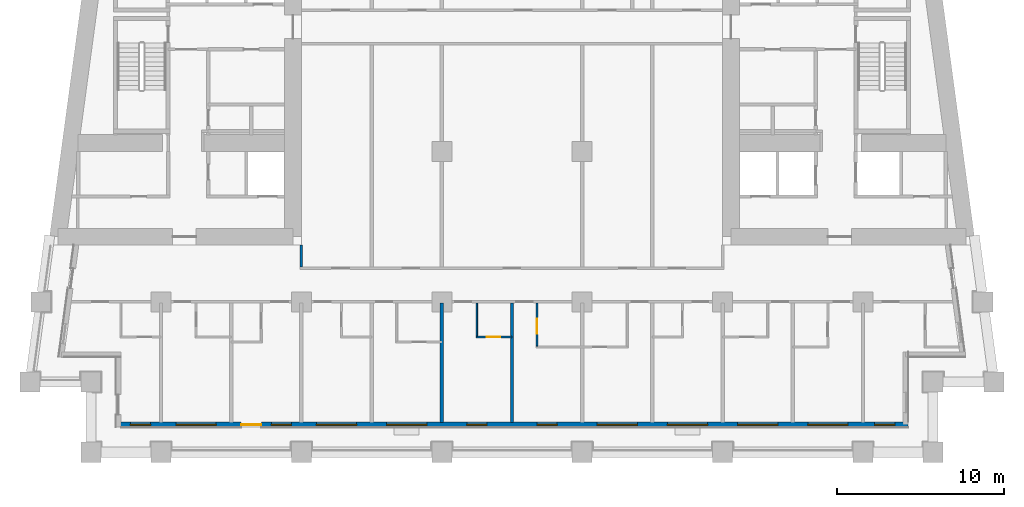
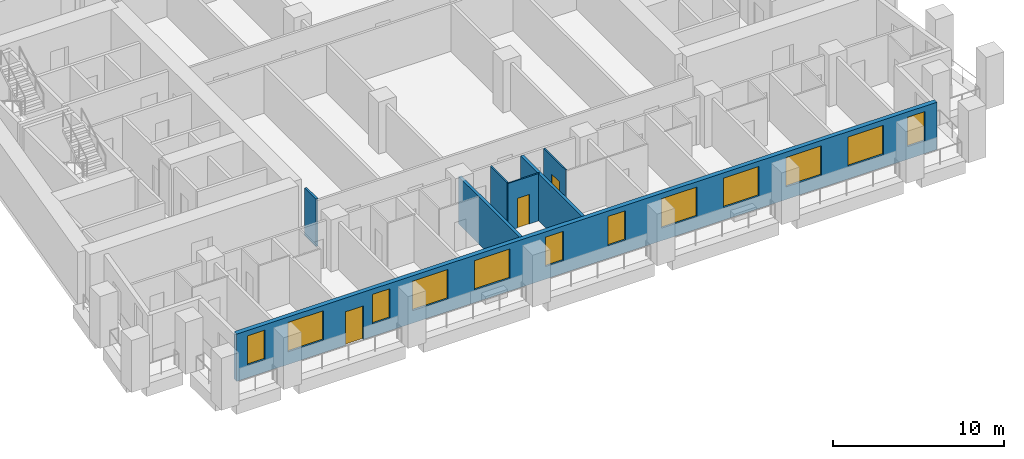
# One storey, part 3 of 14: 12 windows, 7 walls, 3 doors, 15 openings.
"""IFC4 building model written with IfcOpenShell, lengths in metres."""

import ifcopenshell
import ifcopenshell.guid

model = None  # the IFC model being written
_history = None  # IfcOwnerHistory: only IFC2X3 demands one
_inside = {}  # id of a spatial element -> (the spatial element, [elements in it])
_under = {}  # id of a project, library or spatial element -> (it, [spatial elements below it])
_declared = {}  # id of a project -> (the project, [libraries it declares])
_typed = {}  # id of a type object -> (the type object, [elements of that type])
_made_of = {}  # id of a material, layer set ... -> (it, [elements and type objects made of it])


def new_model(schema):
    """Start an empty IFC model of exactly this schema.

    Asked for "IFC4X3", IfcOpenShell would pick the latest addendum, in which some entities
    have other attributes; the version numbers below select the first issue.
    IFC2X3 requires an IfcOwnerHistory on every rooted entity: one is made here for all.
    """
    global model, _history
    if schema == "IFC4X3":
        model = ifcopenshell.file(schema_version=(4, 3, 0, 0))
    else:
        model = ifcopenshell.file(schema=schema)
    _inside.clear()
    _under.clear()
    _declared.clear()
    _typed.clear()
    _made_of.clear()
    _history = None
    if model.schema == "IFC2X3":
        org = make("IfcOrganization", Name="unknown")
        user = make(
            "IfcPersonAndOrganization",
            ThePerson=make("IfcPerson", FamilyName="unknown"),
            TheOrganization=org,
        )
        app = make(
            "IfcApplication",
            ApplicationDeveloper=org,
            Version="unknown",
            ApplicationFullName="unknown",
            ApplicationIdentifier="unknown",
        )
        _history = make(
            "IfcOwnerHistory",
            OwningUser=user,
            OwningApplication=app,
            ChangeAction="ADDED",
            CreationDate=0,
        )
    return model


def make(cls, **values):
    """One entity of the class cls with the attributes given. An attribute that is None is left unset."""
    return model.create_entity(
        cls, **{name: value for name, value in values.items() if value is not None}
    )


def rooted(cls, **values):
    """An entity with a GlobalId (a new one), such as an element, a storey or a relation."""
    return make(cls, GlobalId=ifcopenshell.guid.new(), OwnerHistory=_history, **values)


def si_unit(unit_type, name, prefix=None):
    """IfcSIUnit, for example si_unit("LENGTHUNIT", "METRE", prefix="MILLI")."""
    return make("IfcSIUnit", UnitType=unit_type, Prefix=prefix, Name=name)


def assignment(units):
    """IfcUnitAssignment: the units of a project."""
    return None if units is None else make("IfcUnitAssignment", Units=units)


def point(xyz):
    """IfcCartesianPoint."""
    return None if xyz is None else make("IfcCartesianPoint", Coordinates=xyz)


def direction(xyz):
    """IfcDirection."""
    return None if xyz is None else make("IfcDirection", DirectionRatios=xyz)


def frame(location, z_axis=None, x_axis=None):
    """IfcAxis2Placement3D, a coordinate frame: its origin and axes. An axis left out is left unset."""
    return make(
        "IfcAxis2Placement3D",
        Location=point(location),
        Axis=direction(z_axis),
        RefDirection=direction(x_axis),
    )


def frame_2d(location, x_axis=None):
    """IfcAxis2Placement2D, a coordinate frame in the plane: its origin and x axis."""
    return make(
        "IfcAxis2Placement2D", Location=point(location), RefDirection=direction(x_axis)
    )


def origin():
    """The frame at (0, 0, 0) with its axes left unset."""
    return frame((0.0, 0.0, 0.0))


def place(relative_to, where):
    """IfcLocalPlacement: puts the frame where relative to a parent placement (None: the world)."""
    return make(
        "IfcLocalPlacement", PlacementRelTo=relative_to, RelativePlacement=where
    )


def context(
    kind, dimensions, precision=None, world=None, true_north=None, identifier=None
):
    """IfcGeometricRepresentationContext, for example the 3D "Model" context."""
    return make(
        "IfcGeometricRepresentationContext",
        ContextIdentifier=identifier,
        ContextType=kind,
        CoordinateSpaceDimension=dimensions,
        Precision=precision,
        WorldCoordinateSystem=world,
        TrueNorth=true_north,
    )


def subcontext(parent, identifier, kind, view, scale=None):
    """IfcGeometricRepresentationSubContext, for example "Body" below "Model"."""
    return make(
        "IfcGeometricRepresentationSubContext",
        ContextIdentifier=identifier,
        ContextType=kind,
        ParentContext=parent,
        TargetScale=scale,
        TargetView=view,
    )


def project(units=None, contexts=None):
    """IfcProject with its units and contexts."""
    return rooted(
        "IfcProject",
        Name="project",
        RepresentationContexts=contexts,
        UnitsInContext=assignment(units),
    )


def spatial(cls, under=None, at=None, **own):
    """A site, building, storey or space (cls), placed at a placement, below another one or the project."""
    s = rooted(cls, ObjectPlacement=at, **own)
    if under is not None:
        _under.setdefault(under.id(), (under, []))[1].append(s)
    return s


def profile(cls, at=None, kind="AREA", **sizes):
    """A parametric profile (cls). Its sizes go by their IFC names, for example OverallWidth=200.0."""
    return make(cls, ProfileType=kind, Position=at, **sizes)


def rectangle(**sizes):
    """IfcRectangleProfileDef."""
    return profile("IfcRectangleProfileDef", **sizes)


def extrude(swept, where, along, depth):
    """IfcExtrudedAreaSolid: the profile swept, set in the frame where, extruded along a direction by depth."""
    return make(
        "IfcExtrudedAreaSolid",
        SweptArea=swept,
        Position=where,
        ExtrudedDirection=direction(along),
        Depth=depth,
    )


def shape(context_of_items, identifier, shape_type, items):
    """IfcShapeRepresentation: the items that make up one representation, for example the "Body"."""
    return make(
        "IfcShapeRepresentation",
        ContextOfItems=context_of_items,
        RepresentationIdentifier=identifier,
        RepresentationType=shape_type,
        Items=items,
    )


def material(Name=None, Category=None):
    """IfcMaterial."""
    return make("IfcMaterial", Name=Name, Category=Category)


def layer(
    of_material, thickness, ventilated=None, Name=None, Category=None, Priority=None
):
    """IfcMaterialLayer: one layer of a wall or slab, of a material (None: an air gap)."""
    return make(
        "IfcMaterialLayer",
        Material=of_material,
        LayerThickness=thickness,
        IsVentilated=ventilated,
        Name=Name,
        Category=Category,
        Priority=Priority,
    )


def layer_set(layers, Name=None):
    """IfcMaterialLayerSet."""
    return make("IfcMaterialLayerSet", MaterialLayers=layers, LayerSetName=Name)


def made_of(thing, what):
    """Note that an element or type object is made of a material, layer set ...; save() writes the relation."""
    if what is not None:
        _made_of.setdefault(what.id(), (what, []))[1].append(thing)
    return thing


def type_object(cls, material=None, **own):
    """A type object (cls), such as IfcWallType, which elements share."""
    return made_of(rooted(cls, **own), material)


def element(
    cls,
    number,
    at=None,
    inside=None,
    cuts=None,
    type_object=None,
    material=None,
    context=None,
    identifier="Body",
    shape_type=None,
    held_by="IfcProductDefinitionShape",
    body=None,
    shapes=None,
    **own,
):
    """One element of the class cls, such as IfcWall. Its Tag is "e" and its number.

    at: its placement. inside: the storey or other place that contains it. cuts: it is an
    opening in that element (IfcRelVoidsElement). A single representation is given by context,
    identifier, shape_type and body (its items); several are given by shapes. held_by: the class
    of the entity that holds the representations. save() writes the other relations.
    """
    e = rooted(cls, Tag="e%d" % number, ObjectPlacement=at, **own)
    if body is not None:
        shapes = [shape(context, identifier, shape_type, body)]
    if shapes is not None:
        e.Representation = make(held_by, Representations=shapes)
    if inside is not None:
        _inside.setdefault(inside.id(), (inside, []))[1].append(e)
    if cuts is not None:
        rooted(
            "IfcRelVoidsElement", RelatingBuildingElement=cuts, RelatedOpeningElement=e
        )
    if type_object is not None:
        _typed.setdefault(type_object.id(), (type_object, []))[1].append(e)
    return made_of(e, material)


def fill(opening, filler):
    """IfcRelFillsElement: the door or window that sits in an opening."""
    return rooted(
        "IfcRelFillsElement",
        RelatingOpeningElement=opening,
        RelatedBuildingElement=filler,
    )


def aggregate(whole, parts):
    """IfcRelAggregates: a whole, such as a stair, and the parts it consists of."""
    return rooted("IfcRelAggregates", RelatingObject=whole, RelatedObjects=parts)


def save(model, path):
    """Write the relations noted so far, then the file.

    IfcRelAggregates (storeys below a building ...), IfcRelContainedInSpatialStructure (elements
    in a storey), IfcRelDefinesByType, IfcRelAssociatesMaterial and IfcRelDeclares: one each for
    every whole, place, type object, material and project.
    """
    for whole, parts in _under.values():
        aggregate(whole, parts)
    for where, things in _inside.values():
        rooted(
            "IfcRelContainedInSpatialStructure",
            RelatedElements=things,
            RelatingStructure=where,
        )
    for kind, things in _typed.values():
        rooted("IfcRelDefinesByType", RelatedObjects=things, RelatingType=kind)
    for what, things in _made_of.values():
        rooted("IfcRelAssociatesMaterial", RelatedObjects=things, RelatingMaterial=what)
    for by, libraries in _declared.values():
        rooted("IfcRelDeclares", RelatingContext=by, RelatedDefinitions=libraries)
    model.write(path)


model = new_model("IFC4")

# Units and contexts
model_context = context("Model", 3, precision=1e-05, world=origin(), true_north=direction((0.0, 1.0)))
body_context = subcontext(model_context, "Body", "Model", "MODEL_VIEW")
ifc_project = project(units=[si_unit("LENGTHUNIT", "METRE"), si_unit("AREAUNIT", "SQUARE_METRE"), si_unit("VOLUMEUNIT", "CUBIC_METRE"), si_unit("PLANEANGLEUNIT", "RADIAN"), si_unit("MASSUNIT", "GRAM", prefix="KILO")], contexts=[model_context])

# Site, building, storey
site_placement = place(None, origin())
site = spatial("IfcSite", under=ifc_project, at=site_placement, CompositionType="ELEMENT")
building_placement = place(site_placement, origin())
building = spatial("IfcBuilding", under=site, at=building_placement, Name="Candeia Pilgrim Tower and Theatre", CompositionType="ELEMENT")
storey_placement = place(building_placement, frame((0.0, 0.0, 116.89990234375)))
storey = spatial("IfcBuildingStorey", under=building, at=storey_placement, Name="L27", CompositionType="ELEMENT", Elevation=116.89990234375)

# Wall, openings, door, windows
ifc_material_1 = material(Name="Ceramic block masonry", Category="masonry")
ifc_layer_1 = layer(ifc_material_1, 0.300048828125)
ifc_layer_set_1 = layer_set([ifc_layer_1], Name="EW1 glazing-line wall 300")
wall_type_1 = type_object("IfcWallType", Name="EW1 glazing-line wall 300", PredefinedType="SOLIDWALL", material=ifc_layer_set_1)
wall_1_placement = place(storey_placement, frame((89.85009765625, 99.64990234375, 0.0), z_axis=(0.0, 0.0, 1.0), x_axis=(1.0, 0.0, 0.0)))
wall_1 = element("IfcWall", 1, at=wall_1_placement, inside=storey, type_object=wall_type_1, Name="External wall L27-0.0", PredefinedType="SOLIDWALL", context=body_context, shape_type="SweptSolid", body=[
    extrude(rectangle(XDim=47.25, YDim=0.300048828125, at=frame_2d((23.625, 0.0))), origin(), (0.0, 0.0, 1.0), 3.380126953125),
])
opening_1_placement = place(wall_1_placement, frame((0.72509765625, 0.0, 0.89990234375)))
opening_1 = element("IfcOpeningElement", 2, at=opening_1_placement, cuts=wall_1, Name="Opening W-B", PredefinedType="OPENING", context=body_context, shape_type="SweptSolid", body=[
    extrude(rectangle(XDim=1.199951171875, YDim=2.10009765625, at=frame_2d((0.60009765625, 1.050048828125))), frame((0.0, 0.16015625, 0.0), z_axis=(0.0, -1.0, 0.0), x_axis=(1.0, 0.0, 0.0)), (0.0, 0.0, 1.0), 0.320068359375),
])
opening_2_placement = place(wall_1_placement, frame((3.449951171875, 0.0, 0.89990234375)))
opening_2 = element("IfcOpeningElement", 3, at=opening_2_placement, cuts=wall_1, Name="Opening W-A", PredefinedType="OPENING", context=body_context, shape_type="SweptSolid", body=[
    extrude(rectangle(XDim=2.39990234375, YDim=2.10009765625, at=frame_2d((1.199951171875, 1.050048828125))), frame((0.0, 0.16015625, 0.0), z_axis=(0.0, -1.0, 0.0), x_axis=(1.0, 0.0, 0.0)), (0.0, 0.0, 1.0), 0.320068359375),
])
opening_3_placement = place(wall_1_placement, frame((7.35009765625, 0.0, 0.0)))
opening_3 = element("IfcOpeningElement", 4, at=opening_3_placement, cuts=wall_1, Name="Opening L27-ED272", PredefinedType="OPENING", context=body_context, shape_type="SweptSolid", body=[
    extrude(rectangle(XDim=1.199951171875, YDim=2.39990234375, at=frame_2d((0.60009765625, 1.199951171875))), frame((0.0, 0.16015625, 0.0), z_axis=(0.0, -1.0, 0.0), x_axis=(1.0, 0.0, 0.0)), (0.0, 0.0, 1.0), 0.320068359375),
])
opening_4_placement = place(wall_1_placement, frame((9.14990234375, 0.0, 0.89990234375)))
opening_4 = element("IfcOpeningElement", 5, at=opening_4_placement, cuts=wall_1, Name="Opening W-B", PredefinedType="OPENING", context=body_context, shape_type="SweptSolid", body=[
    extrude(rectangle(XDim=1.199951171875, YDim=2.10009765625, at=frame_2d((0.60009765625, 1.050048828125))), frame((0.0, 0.16015625, 0.0), z_axis=(0.0, -1.0, 0.0), x_axis=(1.0, 0.0, 0.0)), (0.0, 0.0, 1.0), 0.320068359375),
])
opening_5_placement = place(wall_1_placement, frame((11.85009765625, 0.0, 0.89990234375)))
opening_5 = element("IfcOpeningElement", 6, at=opening_5_placement, cuts=wall_1, Name="Opening W-A", PredefinedType="OPENING", context=body_context, shape_type="SweptSolid", body=[
    extrude(rectangle(XDim=2.39990234375, YDim=2.10009765625, at=frame_2d((1.199951171875, 1.050048828125))), frame((0.0, 0.16015625, 0.0), z_axis=(0.0, -1.0, 0.0), x_axis=(1.0, 0.0, 0.0)), (0.0, 0.0, 1.0), 0.320068359375),
])
opening_6_placement = place(wall_1_placement, frame((16.050048828125, 0.0, 0.89990234375)))
opening_6 = element("IfcOpeningElement", 7, at=opening_6_placement, cuts=wall_1, Name="Opening W-A", PredefinedType="OPENING", context=body_context, shape_type="SweptSolid", body=[
    extrude(rectangle(XDim=2.39990234375, YDim=2.10009765625, at=frame_2d((1.199951171875, 1.050048828125))), frame((0.0, 0.16015625, 0.0), z_axis=(0.0, -1.0, 0.0), x_axis=(1.0, 0.0, 0.0)), (0.0, 0.0, 1.0), 0.320068359375),
])
opening_7_placement = place(wall_1_placement, frame((20.85009765625, 0.0, 0.89990234375)))
opening_7 = element("IfcOpeningElement", 8, at=opening_7_placement, cuts=wall_1, Name="Opening W-B", PredefinedType="OPENING", context=body_context, shape_type="SweptSolid", body=[
    extrude(rectangle(XDim=1.199951171875, YDim=2.10009765625, at=frame_2d((0.60009765625, 1.050048828125))), frame((0.0, 0.16015625, 0.0), z_axis=(0.0, -1.0, 0.0), x_axis=(1.0, 0.0, 0.0)), (0.0, 0.0, 1.0), 0.320068359375),
])
opening_8_placement = place(wall_1_placement, frame((25.050048828125, 0.0, 0.89990234375)))
opening_8 = element("IfcOpeningElement", 9, at=opening_8_placement, cuts=wall_1, Name="Opening W-B", PredefinedType="OPENING", context=body_context, shape_type="SweptSolid", body=[
    extrude(rectangle(XDim=1.199951171875, YDim=2.10009765625, at=frame_2d((0.60009765625, 1.050048828125))), frame((0.0, 0.16015625, 0.0), z_axis=(0.0, -1.0, 0.0), x_axis=(1.0, 0.0, 0.0)), (0.0, 0.0, 1.0), 0.320068359375),
])
opening_9_placement = place(wall_1_placement, frame((28.64990234375, 0.0, 0.89990234375)))
opening_9 = element("IfcOpeningElement", 10, at=opening_9_placement, cuts=wall_1, Name="Opening W-A", PredefinedType="OPENING", context=body_context, shape_type="SweptSolid", body=[
    extrude(rectangle(XDim=2.39990234375, YDim=2.10009765625, at=frame_2d((1.199951171875, 1.050048828125))), frame((0.0, 0.16015625, 0.0), z_axis=(0.0, -1.0, 0.0), x_axis=(1.0, 0.0, 0.0)), (0.0, 0.0, 1.0), 0.320068359375),
])
opening_10_placement = place(wall_1_placement, frame((32.85009765625, 0.0, 0.89990234375)))
opening_10 = element("IfcOpeningElement", 11, at=opening_10_placement, cuts=wall_1, Name="Opening W-A", PredefinedType="OPENING", context=body_context, shape_type="SweptSolid", body=[
    extrude(rectangle(XDim=2.39990234375, YDim=2.10009765625, at=frame_2d((1.199951171875, 1.050048828125))), frame((0.0, 0.16015625, 0.0), z_axis=(0.0, -1.0, 0.0), x_axis=(1.0, 0.0, 0.0)), (0.0, 0.0, 1.0), 0.320068359375),
])
opening_11_placement = place(wall_1_placement, frame((37.050048828125, 0.0, 0.89990234375)))
opening_11 = element("IfcOpeningElement", 12, at=opening_11_placement, cuts=wall_1, Name="Opening W-A", PredefinedType="OPENING", context=body_context, shape_type="SweptSolid", body=[
    extrude(rectangle(XDim=2.39990234375, YDim=2.10009765625, at=frame_2d((1.199951171875, 1.050048828125))), frame((0.0, 0.16015625, 0.0), z_axis=(0.0, -1.0, 0.0), x_axis=(1.0, 0.0, 0.0)), (0.0, 0.0, 1.0), 0.320068359375),
])
opening_12_placement = place(wall_1_placement, frame((41.25, 0.0, 0.89990234375)))
opening_12 = element("IfcOpeningElement", 13, at=opening_12_placement, cuts=wall_1, Name="Opening W-A", PredefinedType="OPENING", context=body_context, shape_type="SweptSolid", body=[
    extrude(rectangle(XDim=2.39990234375, YDim=2.10009765625, at=frame_2d((1.199951171875, 1.050048828125))), frame((0.0, 0.16015625, 0.0), z_axis=(0.0, -1.0, 0.0), x_axis=(1.0, 0.0, 0.0)), (0.0, 0.0, 1.0), 0.320068359375),
])
opening_13_placement = place(wall_1_placement, frame((45.25, 0.0, 0.89990234375)))
opening_13 = element("IfcOpeningElement", 14, at=opening_13_placement, cuts=wall_1, Name="Opening W-B", PredefinedType="OPENING", context=body_context, shape_type="SweptSolid", body=[
    extrude(rectangle(XDim=1.199951171875, YDim=2.10009765625, at=frame_2d((0.60009765625, 1.050048828125))), frame((0.0, 0.16015625, 0.0), z_axis=(0.0, -1.0, 0.0), x_axis=(1.0, 0.0, 0.0)), (0.0, 0.0, 1.0), 0.320068359375),
])
ifc_material_2 = material(Name="Aluminium framed glazed door", Category="aluminium")
door_type_1 = type_object("IfcDoorType", Name="Loggia door 1200x2400", OperationType="DOUBLE_DOOR_SINGLE_SWING", PredefinedType="DOOR", material=ifc_material_2)
door_1_placement = place(opening_3_placement, origin())
door_1 = element("IfcDoor", 15, at=door_1_placement, inside=storey, type_object=door_type_1, Name="Loggia door L27-ED272", OperationType="DOUBLE_DOOR_SINGLE_SWING", OverallHeight=2.39990234375, OverallWidth=1.199951171875, PredefinedType="DOOR", context=body_context, shape_type="SweptSolid", body=[
    extrude(rectangle(XDim=1.199951171875, YDim=2.39990234375, at=frame_2d((0.60009765625, 1.199951171875))), frame((0.0, 0.02490234375, 0.0), z_axis=(0.0, -1.0, 0.0), x_axis=(1.0, 0.0, 0.0)), (0.0, 0.0, 1.0), 0.050048828125),
])
fill(opening_3, door_1)
ifc_material_3 = material(Name="Aluminium framed double glazing", Category="aluminium")
window_type_1 = type_object("IfcWindowType", Name="W-A window 2400x2100", PartitioningType="DOUBLE_PANEL_VERTICAL", PredefinedType="WINDOW", material=ifc_material_3)
window_1_placement = place(opening_2_placement, origin())
window_1 = element("IfcWindow", 16, at=window_1_placement, inside=storey, type_object=window_type_1, Name="Window W-A L27", OverallHeight=2.10009765625, OverallWidth=2.39990234375, PartitioningType="SINGLE_PANEL", PredefinedType="WINDOW", context=body_context, shape_type="SweptSolid", body=[
    extrude(rectangle(XDim=2.39990234375, YDim=2.10009765625, at=frame_2d((1.199951171875, 1.050048828125))), frame((0.0, 0.030029296875, 0.0), z_axis=(0.0, -1.0, 0.0), x_axis=(1.0, 0.0, 0.0)), (0.0, 0.0, 1.0), 0.06005859375),
])
fill(opening_2, window_1)
window_2_placement = place(opening_5_placement, origin())
window_2 = element("IfcWindow", 17, at=window_2_placement, inside=storey, type_object=window_type_1, Name="Window W-A L27", OverallHeight=2.10009765625, OverallWidth=2.39990234375, PartitioningType="SINGLE_PANEL", PredefinedType="WINDOW", context=body_context, shape_type="SweptSolid", body=[
    extrude(rectangle(XDim=2.39990234375, YDim=2.10009765625, at=frame_2d((1.199951171875, 1.050048828125))), frame((0.0, 0.030029296875, 0.0), z_axis=(0.0, -1.0, 0.0), x_axis=(1.0, 0.0, 0.0)), (0.0, 0.0, 1.0), 0.06005859375),
])
fill(opening_5, window_2)
window_3_placement = place(opening_6_placement, origin())
window_3 = element("IfcWindow", 18, at=window_3_placement, inside=storey, type_object=window_type_1, Name="Window W-A L27", OverallHeight=2.10009765625, OverallWidth=2.39990234375, PartitioningType="SINGLE_PANEL", PredefinedType="WINDOW", context=body_context, shape_type="SweptSolid", body=[
    extrude(rectangle(XDim=2.39990234375, YDim=2.10009765625, at=frame_2d((1.199951171875, 1.050048828125))), frame((0.0, 0.030029296875, 0.0), z_axis=(0.0, -1.0, 0.0), x_axis=(1.0, 0.0, 0.0)), (0.0, 0.0, 1.0), 0.06005859375),
])
fill(opening_6, window_3)
window_4_placement = place(opening_9_placement, origin())
window_4 = element("IfcWindow", 19, at=window_4_placement, inside=storey, type_object=window_type_1, Name="Window W-A L27", OverallHeight=2.10009765625, OverallWidth=2.39990234375, PartitioningType="SINGLE_PANEL", PredefinedType="WINDOW", context=body_context, shape_type="SweptSolid", body=[
    extrude(rectangle(XDim=2.39990234375, YDim=2.10009765625, at=frame_2d((1.199951171875, 1.050048828125))), frame((0.0, 0.030029296875, 0.0), z_axis=(0.0, -1.0, 0.0), x_axis=(1.0, 0.0, 0.0)), (0.0, 0.0, 1.0), 0.06005859375),
])
fill(opening_9, window_4)
window_5_placement = place(opening_10_placement, origin())
window_5 = element("IfcWindow", 20, at=window_5_placement, inside=storey, type_object=window_type_1, Name="Window W-A L27", OverallHeight=2.10009765625, OverallWidth=2.39990234375, PartitioningType="SINGLE_PANEL", PredefinedType="WINDOW", context=body_context, shape_type="SweptSolid", body=[
    extrude(rectangle(XDim=2.39990234375, YDim=2.10009765625, at=frame_2d((1.199951171875, 1.050048828125))), frame((0.0, 0.030029296875, 0.0), z_axis=(0.0, -1.0, 0.0), x_axis=(1.0, 0.0, 0.0)), (0.0, 0.0, 1.0), 0.06005859375),
])
fill(opening_10, window_5)
window_6_placement = place(opening_11_placement, origin())
window_6 = element("IfcWindow", 21, at=window_6_placement, inside=storey, type_object=window_type_1, Name="Window W-A L27", OverallHeight=2.10009765625, OverallWidth=2.39990234375, PartitioningType="SINGLE_PANEL", PredefinedType="WINDOW", context=body_context, shape_type="SweptSolid", body=[
    extrude(rectangle(XDim=2.39990234375, YDim=2.10009765625, at=frame_2d((1.199951171875, 1.050048828125))), frame((0.0, 0.030029296875, 0.0), z_axis=(0.0, -1.0, 0.0), x_axis=(1.0, 0.0, 0.0)), (0.0, 0.0, 1.0), 0.06005859375),
])
fill(opening_11, window_6)
window_7_placement = place(opening_12_placement, origin())
window_7 = element("IfcWindow", 22, at=window_7_placement, inside=storey, type_object=window_type_1, Name="Window W-A L27", OverallHeight=2.10009765625, OverallWidth=2.39990234375, PartitioningType="SINGLE_PANEL", PredefinedType="WINDOW", context=body_context, shape_type="SweptSolid", body=[
    extrude(rectangle(XDim=2.39990234375, YDim=2.10009765625, at=frame_2d((1.199951171875, 1.050048828125))), frame((0.0, 0.030029296875, 0.0), z_axis=(0.0, -1.0, 0.0), x_axis=(1.0, 0.0, 0.0)), (0.0, 0.0, 1.0), 0.06005859375),
])
fill(opening_12, window_7)
window_type_2 = type_object("IfcWindowType", Name="W-B window 1200x2100", PartitioningType="SINGLE_PANEL", PredefinedType="WINDOW", material=ifc_material_3)
window_8_placement = place(opening_1_placement, origin())
window_8 = element("IfcWindow", 23, at=window_8_placement, inside=storey, type_object=window_type_2, Name="Window W-B L27", OverallHeight=2.10009765625, OverallWidth=1.199951171875, PartitioningType="SINGLE_PANEL", PredefinedType="WINDOW", context=body_context, shape_type="SweptSolid", body=[
    extrude(rectangle(XDim=1.199951171875, YDim=2.10009765625, at=frame_2d((0.60009765625, 1.050048828125))), frame((0.0, 0.030029296875, 0.0), z_axis=(0.0, -1.0, 0.0), x_axis=(1.0, 0.0, 0.0)), (0.0, 0.0, 1.0), 0.06005859375),
])
fill(opening_1, window_8)
window_9_placement = place(opening_4_placement, origin())
window_9 = element("IfcWindow", 24, at=window_9_placement, inside=storey, type_object=window_type_2, Name="Window W-B L27", OverallHeight=2.10009765625, OverallWidth=1.199951171875, PartitioningType="SINGLE_PANEL", PredefinedType="WINDOW", context=body_context, shape_type="SweptSolid", body=[
    extrude(rectangle(XDim=1.199951171875, YDim=2.10009765625, at=frame_2d((0.60009765625, 1.050048828125))), frame((0.0, 0.030029296875, 0.0), z_axis=(0.0, -1.0, 0.0), x_axis=(1.0, 0.0, 0.0)), (0.0, 0.0, 1.0), 0.06005859375),
])
fill(opening_4, window_9)
window_10_placement = place(opening_7_placement, origin())
window_10 = element("IfcWindow", 25, at=window_10_placement, inside=storey, type_object=window_type_2, Name="Window W-B L27", OverallHeight=2.10009765625, OverallWidth=1.199951171875, PartitioningType="SINGLE_PANEL", PredefinedType="WINDOW", context=body_context, shape_type="SweptSolid", body=[
    extrude(rectangle(XDim=1.199951171875, YDim=2.10009765625, at=frame_2d((0.60009765625, 1.050048828125))), frame((0.0, 0.030029296875, 0.0), z_axis=(0.0, -1.0, 0.0), x_axis=(1.0, 0.0, 0.0)), (0.0, 0.0, 1.0), 0.06005859375),
])
fill(opening_7, window_10)
window_11_placement = place(opening_8_placement, origin())
window_11 = element("IfcWindow", 26, at=window_11_placement, inside=storey, type_object=window_type_2, Name="Window W-B L27", OverallHeight=2.10009765625, OverallWidth=1.199951171875, PartitioningType="SINGLE_PANEL", PredefinedType="WINDOW", context=body_context, shape_type="SweptSolid", body=[
    extrude(rectangle(XDim=1.199951171875, YDim=2.10009765625, at=frame_2d((0.60009765625, 1.050048828125))), frame((0.0, 0.030029296875, 0.0), z_axis=(0.0, -1.0, 0.0), x_axis=(1.0, 0.0, 0.0)), (0.0, 0.0, 1.0), 0.06005859375),
])
fill(opening_8, window_11)
window_12_placement = place(opening_13_placement, origin())
window_12 = element("IfcWindow", 27, at=window_12_placement, inside=storey, type_object=window_type_2, Name="Window W-B L27", OverallHeight=2.10009765625, OverallWidth=1.199951171875, PartitioningType="SINGLE_PANEL", PredefinedType="WINDOW", context=body_context, shape_type="SweptSolid", body=[
    extrude(rectangle(XDim=1.199951171875, YDim=2.10009765625, at=frame_2d((0.60009765625, 1.050048828125))), frame((0.0, 0.030029296875, 0.0), z_axis=(0.0, -1.0, 0.0), x_axis=(1.0, 0.0, 0.0)), (0.0, 0.0, 1.0), 0.06005859375),
])
fill(opening_13, window_12)

# Wall, opening, door
ifc_material_4 = material(Name="Gypsum board partition on steel studs", Category="steel")
ifc_layer_2 = layer(ifc_material_4, 0.10009765625)
ifc_layer_set_2 = layer_set([ifc_layer_2], Name="PW-100 room partition")
wall_type_2 = type_object("IfcWallType", Name="PW-100 room partition", PredefinedType="PARTITIONING", material=ifc_layer_set_2)
wall_2_placement = place(storey_placement, frame((111.25, 104.89990234375, 0.0), z_axis=(0.0, 0.0, 1.0), x_axis=(1.0, 0.0, 0.0)))
wall_2 = element("IfcWall", 28, at=wall_2_placement, inside=storey, type_object=wall_type_2, Name="Room partition L27-009", PredefinedType="PARTITIONING", context=body_context, shape_type="SweptSolid", body=[
    extrude(rectangle(XDim=2.14990234375, YDim=0.10009765625, at=frame_2d((1.074951171875, 0.0))), origin(), (0.0, 0.0, 1.0), 3.380126953125),
])
opening_14_placement = place(wall_2_placement, frame((0.639892578125, 0.0, 0.0)))
opening_14 = element("IfcOpeningElement", 29, at=opening_14_placement, cuts=wall_2, Name="Opening L27-D025", PredefinedType="OPENING", context=body_context, shape_type="SweptSolid", body=[
    extrude(rectangle(XDim=0.800048828125, YDim=2.10009765625, at=frame_2d((0.39990234375, 1.050048828125))), frame((0.0, 0.06005859375, 0.0), z_axis=(0.0, -1.0, 0.0), x_axis=(1.0, 0.0, 0.0)), (0.0, 0.0, 1.0), 0.1201171875),
])
ifc_material_5 = material(Name="Timber door leaf", Category="wood")
door_type_2 = type_object("IfcDoorType", Name="D-800", OperationType="NOTDEFINED", PredefinedType="DOOR", material=ifc_material_5)
door_2_placement = place(opening_14_placement, origin())
door_2 = element("IfcDoor", 30, at=door_2_placement, inside=storey, type_object=door_type_2, Name="Door L27-D025", OperationType="SINGLE_SWING_RIGHT", OverallHeight=2.10009765625, OverallWidth=0.800048828125, PredefinedType="DOOR", context=body_context, shape_type="SweptSolid", body=[
    extrude(rectangle(XDim=0.800048828125, YDim=2.10009765625, at=frame_2d((0.39990234375, 1.050048828125))), frame((0.0, 0.02490234375, 0.0), z_axis=(0.0, -1.0, 0.0), x_axis=(1.0, 0.0, 0.0)), (0.0, 0.0, 1.0), 0.050048828125),
])
fill(opening_14, door_2)

# Wall
wall_3_placement = place(storey_placement, frame((111.300048828125, 104.949951171875, 0.0), z_axis=(0.0, 0.0, 1.0), x_axis=(0.0, 1.0, 0.0)))
element("IfcWall", 31, at=wall_3_placement, inside=storey, type_object=wall_type_2, Name="Room partition L27-093", PredefinedType="PARTITIONING", context=body_context, shape_type="SweptSolid", body=[
    extrude(rectangle(XDim=1.97509765625, YDim=0.10009765625, at=frame_2d((0.987548828125, 0.0))), origin(), (0.0, 0.0, 1.0), 3.380126953125),
])

# Wall, opening, door
wall_4_placement = place(storey_placement, frame((114.89990234375, 104.35009765625, 0.0), z_axis=(0.0, 0.0, 1.0), x_axis=(0.0, 1.0, 0.0)))
wall_4 = element("IfcWall", 32, at=wall_4_placement, inside=storey, type_object=wall_type_2, Name="Room partition L27-096", PredefinedType="PARTITIONING", context=body_context, shape_type="SweptSolid", body=[
    extrude(rectangle(XDim=2.574951171875, YDim=0.10009765625, at=frame_2d((1.28759765625, 0.0))), origin(), (0.0, 0.0, 1.0), 3.380126953125),
])
opening_15_placement = place(wall_4_placement, frame((0.739990234375, 0.0, 0.0)))
opening_15 = element("IfcOpeningElement", 33, at=opening_15_placement, cuts=wall_4, Name="Opening L27-D027", PredefinedType="OPENING", context=body_context, shape_type="SweptSolid", body=[
    extrude(rectangle(XDim=0.89990234375, YDim=2.10009765625, at=frame_2d((0.449951171875, 1.050048828125))), frame((0.0, 0.06005859375, 0.0), z_axis=(0.0, -1.0, 0.0), x_axis=(1.0, 0.0, 0.0)), (0.0, 0.0, 1.0), 0.1201171875),
])
door_type_3 = type_object("IfcDoorType", Name="D-900", OperationType="NOTDEFINED", PredefinedType="DOOR", material=ifc_material_5)
door_3_placement = place(opening_15_placement, origin())
door_3 = element("IfcDoor", 34, at=door_3_placement, inside=storey, type_object=door_type_3, Name="Door L27-D027", OperationType="SINGLE_SWING_RIGHT", OverallHeight=2.10009765625, OverallWidth=0.89990234375, PredefinedType="DOOR", context=body_context, shape_type="SweptSolid", body=[
    extrude(rectangle(XDim=0.89990234375, YDim=2.10009765625, at=frame_2d((0.449951171875, 1.050048828125))), frame((0.0, 0.02490234375, 0.0), z_axis=(0.0, -1.0, 0.0), x_axis=(1.0, 0.0, 0.0)), (0.0, 0.0, 1.0), 0.050048828125),
])
fill(opening_15, door_3)

# Walls
ifc_layer_3 = layer(ifc_material_4, 0.14990234375)
ifc_layer_set_3 = layer_set([ifc_layer_3], Name="PW-150 unit wall")
wall_type_3 = type_object("IfcWallType", Name="PW-150 unit wall", PredefinedType="PARTITIONING", material=ifc_layer_set_3)
wall_5_placement = place(storey_placement, frame((100.800048828125, 109.074951171875, 0.0), z_axis=(0.0, 0.0, 1.0), x_axis=(0.0, 1.0, 0.0)))
element("IfcWall", 35, at=wall_5_placement, inside=storey, type_object=wall_type_3, Name="Unit wall L27-079", PredefinedType="PARTITIONING", context=body_context, shape_type="SweptSolid", body=[
    extrude(rectangle(XDim=1.324951171875, YDim=0.14990234375, at=frame_2d((0.66259765625, 0.0))), origin(), (0.0, 0.0, 1.0), 3.380126953125),
])
ifc_layer_4 = layer(ifc_material_4, 0.199951171875)
ifc_layer_set_4 = layer_set([ifc_layer_4], Name="PW-200 party wall")
wall_type_4 = type_object("IfcWallType", Name="PW-200 party wall", PredefinedType="PARTITIONING", material=ifc_layer_set_4)
for number, where, z_axis, x_axis, name in (
    (36, (109.199951171875, 99.7900390625, 0.0), (0.0, 0.0, 1.0), (0.0, 1.0, 0.0), "Party wall L27-088"),
    (37, (113.39990234375, 99.7900390625, 0.0), (0.0, 0.0, 1.0), (0.0, 1.0, 0.0), "Party wall L27-094"),
):
    element("IfcWall", number, at=place(storey_placement, frame(where, z_axis=z_axis, x_axis=x_axis)), inside=storey, type_object=wall_type_4, Name=name, PredefinedType="PARTITIONING", context=body_context, shape_type="SweptSolid", body=[
        extrude(rectangle(XDim=7.135009765625, YDim=0.199951171875, at=frame_2d((3.5673828125, 0.0))), origin(), (0.0, 0.0, 1.0), 3.380126953125),
    ])

save(model, "model.ifc")
